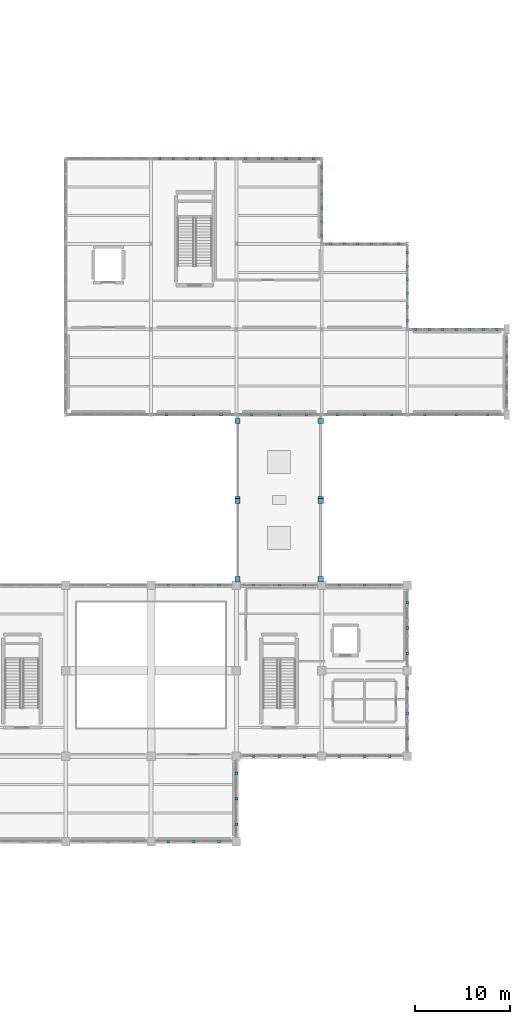
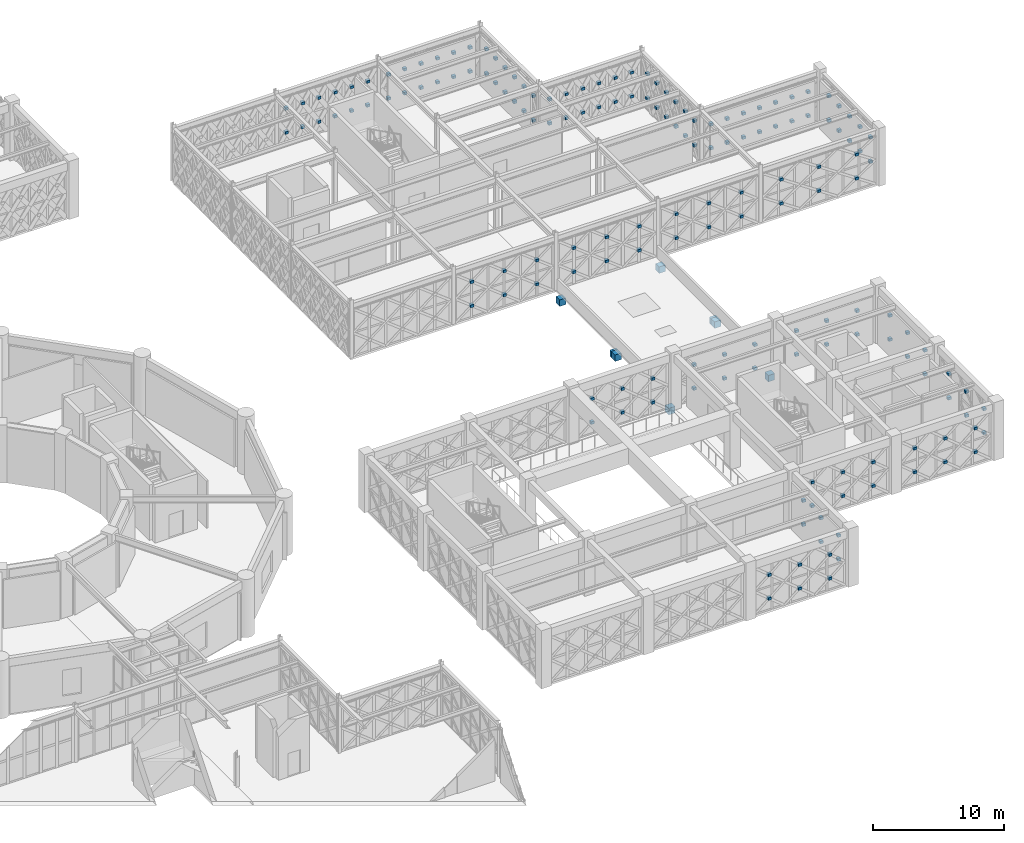
# One storey, part 144 of 155: 170 discrete accessories.
"""IFC4 building model written with IfcOpenShell, lengths in metres."""

from ifc_helpers import new_model, si_unit, direction, frame, origin, origin_2d, place, context, subcontext, project, spatial, rectangle, extrude, material, type_object, element, save


model = new_model("IFC4")

# Units and contexts
model_context = context("Model", 3, precision=1e-05, world=origin(), true_north=direction((0.0, 1.0)))
body_context = subcontext(model_context, "Body", "Model", "MODEL_VIEW")
ifc_project = project(units=[si_unit("LENGTHUNIT", "METRE"), si_unit("AREAUNIT", "SQUARE_METRE"), si_unit("VOLUMEUNIT", "CUBIC_METRE"), si_unit("PLANEANGLEUNIT", "RADIAN"), si_unit("MASSUNIT", "GRAM", prefix="KILO")], contexts=[model_context])

# Site, building, storey
site_placement = place(None, origin())
site = spatial("IfcSite", under=ifc_project, at=site_placement, CompositionType="ELEMENT")
building_placement = place(site_placement, origin())
building = spatial("IfcBuilding", under=site, at=building_placement, Name="Haizhuo Lancet Aquarium", CompositionType="ELEMENT")
storey_placement = place(building_placement, frame((0.0, 0.0, 10.800048828125)))
storey = spatial("IfcBuildingStorey", under=building, at=storey_placement, Name="L02", CompositionType="ELEMENT", Elevation=10.800048828125)

# Discrete accessories
ifc_material = material(Name="Steel S355", Category="steel")
discrete_accessory_type = type_object("IfcDiscreteAccessoryType", Name="ACC-END-CAP", PredefinedType="BRACKET", material=ifc_material)
for number, where, z_axis, x_axis, name in (
    (1, (54.1201171875, -8.320068359375, -0.9501953125), (0.0, 0.0, 1.0), (1.0, 0.0, 0.0), "L02 welded Steel S355 brace end-cap bracket EC-SB-3-1"),
    (2, (54.1201171875, -0.1201171875, -0.9501953125), (0.0, 0.0, 1.0), (1.0, 0.0, 0.0), "L02 welded Steel S355 brace end-cap bracket EC-SB-3-2"),
    (3, (54.1201171875, 0.1201171875, -0.9501953125), (0.0, 0.0, 1.0), (1.0, 0.0, 0.0), "L02 welded Steel S355 brace end-cap bracket EC-SB-3-3"),
    (4, (54.1201171875, 8.320068359375, -0.9501953125), (0.0, 0.0, 1.0), (1.0, 0.0, 0.0), "L02 welded Steel S355 brace end-cap bracket EC-SB-3-4"),
    (5, (62.8798828125, -8.320068359375, -0.9501953125), (0.0, 0.0, 1.0), (1.0, 0.0, 0.0), "L02 welded Steel S355 brace end-cap bracket EC-SB-4-1"),
    (6, (62.8798828125, -0.1201171875, -0.9501953125), (0.0, 0.0, 1.0), (1.0, 0.0, 0.0), "L02 welded Steel S355 brace end-cap bracket EC-SB-4-2"),
    (7, (62.8798828125, 0.1201171875, -0.9501953125), (0.0, 0.0, 1.0), (1.0, 0.0, 0.0), "L02 welded Steel S355 brace end-cap bracket EC-SB-4-3"),
    (8, (62.8798828125, 8.320068359375, -0.9501953125), (0.0, 0.0, 1.0), (1.0, 0.0, 0.0), "L02 welded Steel S355 brace end-cap bracket EC-SB-4-4"),
):
    element("IfcDiscreteAccessory", number, at=place(storey_placement, frame(where, z_axis=z_axis, x_axis=x_axis)), inside=storey, type_object=discrete_accessory_type, material=ifc_material, Name=name, PredefinedType="BRACKET", context=body_context, shape_type="SweptSolid", body=[
        extrude(rectangle(XDim=0.550048828125, YDim=0.550048828125, at=origin_2d()), origin(), (0.0, 0.0, 1.0), 0.60009765625),
    ])
for number, where, z_axis, x_axis, name in (
    (9, (46.830078125, -9.0, 0.98193359375), (0.0, 0.0, 1.0), (1.0, 0.0, 0.0), "L02 X-brace crossing gusset plate XN-CW-V3-L02-053-LB01B1"),
    (10, (46.830078125, -9.0, 3.18798828125), (0.0, 0.0, 1.0), (1.0, 0.0, 0.0), "L02 X-brace crossing gusset plate XN-CW-V3-L02-053-LB02B1"),
    (11, (49.5, -9.0, 0.98193359375), (0.0, 0.0, 1.0), (1.0, 0.0, 0.0), "L02 X-brace crossing gusset plate XN-CW-V3-L02-053-LB03B1"),
    (12, (49.5, -9.0, 3.18798828125), (0.0, 0.0, 1.0), (1.0, 0.0, 0.0), "L02 X-brace crossing gusset plate XN-CW-V3-L02-053-LB04B1"),
    (13, (52.169921875, -9.0, 0.98193359375), (0.0, 0.0, 1.0), (1.0, 0.0, 0.0), "L02 X-brace crossing gusset plate XN-CW-V3-L02-053-LB05B1"),
    (14, (52.169921875, -9.0, 3.18798828125), (0.0, 0.0, 1.0), (1.0, 0.0, 0.0), "L02 X-brace crossing gusset plate XN-CW-V3-L02-053-LB06B1"),
    (15, (55.830078125, -9.0, 0.98193359375), (0.0, 0.0, 1.0), (1.0, 0.0, 0.0), "L02 X-brace crossing gusset plate XN-CW-V3-L02-054-LB01B1"),
    (16, (55.830078125, -9.0, 3.18798828125), (0.0, 0.0, 1.0), (1.0, 0.0, 0.0), "L02 X-brace crossing gusset plate XN-CW-V3-L02-054-LB02B1"),
    (17, (58.5, -9.0, 0.98193359375), (0.0, 0.0, 1.0), (1.0, 0.0, 0.0), "L02 X-brace crossing gusset plate XN-CW-V3-L02-054-LB03B1"),
    (18, (58.5, -9.0, 3.18798828125), (0.0, 0.0, 1.0), (1.0, 0.0, 0.0), "L02 X-brace crossing gusset plate XN-CW-V3-L02-054-LB04B1"),
    (19, (61.169921875, -9.0, 0.98193359375), (0.0, 0.0, 1.0), (1.0, 0.0, 0.0), "L02 X-brace crossing gusset plate XN-CW-V3-L02-054-LB05B1"),
    (20, (61.169921875, -9.0, 3.18798828125), (0.0, 0.0, 1.0), (1.0, 0.0, 0.0), "L02 X-brace crossing gusset plate XN-CW-V3-L02-054-LB06B1"),
    (21, (64.830078125, -9.0, 0.98193359375), (0.0, 0.0, 1.0), (1.0, 0.0, 0.0), "L02 X-brace crossing gusset plate XN-CW-V3-L02-055-LB01B1"),
    (22, (64.830078125, -9.0, 3.18798828125), (0.0, 0.0, 1.0), (1.0, 0.0, 0.0), "L02 X-brace crossing gusset plate XN-CW-V3-L02-055-LB02B1"),
    (23, (67.5, -9.0, 0.98193359375), (0.0, 0.0, 1.0), (1.0, 0.0, 0.0), "L02 X-brace crossing gusset plate XN-CW-V3-L02-055-LB03B1"),
    (24, (67.5, -9.0, 3.18798828125), (0.0, 0.0, 1.0), (1.0, 0.0, 0.0), "L02 X-brace crossing gusset plate XN-CW-V3-L02-055-LB04B1"),
    (25, (70.169921875, -9.0, 0.98193359375), (0.0, 0.0, 1.0), (1.0, 0.0, 0.0), "L02 X-brace crossing gusset plate XN-CW-V3-L02-055-LB05B1"),
    (26, (70.169921875, -9.0, 3.18798828125), (0.0, 0.0, 1.0), (1.0, 0.0, 0.0), "L02 X-brace crossing gusset plate XN-CW-V3-L02-055-LB06B1"),
    (27, (72.0, -10.830078125, 0.9951171875), (0.0, 0.0, 1.0), (1.0, 0.0, 0.0), "L02 X-brace crossing gusset plate XN-CW-V3-L02-056-LB01B1"),
    (28, (72.0, -10.830078125, 3.22509765625), (0.0, 0.0, 1.0), (1.0, 0.0, 0.0), "L02 X-brace crossing gusset plate XN-CW-V3-L02-056-LB02B1"),
    (29, (72.0, -13.5, 0.9951171875), (0.0, 0.0, 1.0), (1.0, 0.0, 0.0), "L02 X-brace crossing gusset plate XN-CW-V3-L02-056-LB03B1"),
    (30, (72.0, -13.5, 3.22509765625), (0.0, 0.0, 1.0), (1.0, 0.0, 0.0), "L02 X-brace crossing gusset plate XN-CW-V3-L02-056-LB04B1"),
    (31, (72.0, -16.169921875, 0.9951171875), (0.0, 0.0, 1.0), (1.0, 0.0, 0.0), "L02 X-brace crossing gusset plate XN-CW-V3-L02-056-LB05B1"),
    (32, (72.0, -16.169921875, 3.22509765625), (0.0, 0.0, 1.0), (1.0, 0.0, 0.0), "L02 X-brace crossing gusset plate XN-CW-V3-L02-056-LB06B1"),
    (33, (72.0, -19.830078125, 0.9951171875), (0.0, 0.0, 1.0), (1.0, 0.0, 0.0), "L02 X-brace crossing gusset plate XN-CW-V3-L02-057-LB01B1"),
    (34, (72.0, -19.830078125, 3.22509765625), (0.0, 0.0, 1.0), (1.0, 0.0, 0.0), "L02 X-brace crossing gusset plate XN-CW-V3-L02-057-LB02B1"),
    (35, (72.0, -22.5, 0.9951171875), (0.0, 0.0, 1.0), (1.0, 0.0, 0.0), "L02 X-brace crossing gusset plate XN-CW-V3-L02-057-LB03B1"),
    (36, (72.0, -22.5, 3.22509765625), (0.0, 0.0, 1.0), (1.0, 0.0, 0.0), "L02 X-brace crossing gusset plate XN-CW-V3-L02-057-LB04B1"),
    (37, (72.0, -25.169921875, 0.9951171875), (0.0, 0.0, 1.0), (1.0, 0.0, 0.0), "L02 X-brace crossing gusset plate XN-CW-V3-L02-057-LB05B1"),
    (38, (72.0, -25.169921875, 3.22509765625), (0.0, 0.0, 1.0), (1.0, 0.0, 0.0), "L02 X-brace crossing gusset plate XN-CW-V3-L02-057-LB06B1"),
    (39, (70.169921875, -27.0, 0.98193359375), (0.0, 0.0, 1.0), (1.0, 0.0, 0.0), "L02 X-brace crossing gusset plate XN-CW-V3-L02-058-LB01B1"),
    (40, (70.169921875, -27.0, 3.18798828125), (0.0, 0.0, 1.0), (1.0, 0.0, 0.0), "L02 X-brace crossing gusset plate XN-CW-V3-L02-058-LB02B1"),
    (41, (67.5, -27.0, 0.98193359375), (0.0, 0.0, 1.0), (1.0, 0.0, 0.0), "L02 X-brace crossing gusset plate XN-CW-V3-L02-058-LB03B1"),
    (42, (67.5, -27.0, 3.18798828125), (0.0, 0.0, 1.0), (1.0, 0.0, 0.0), "L02 X-brace crossing gusset plate XN-CW-V3-L02-058-LB04B1"),
    (43, (64.830078125, -27.0, 0.98193359375), (0.0, 0.0, 1.0), (1.0, 0.0, 0.0), "L02 X-brace crossing gusset plate XN-CW-V3-L02-058-LB05B1"),
    (44, (64.830078125, -27.0, 3.18798828125), (0.0, 0.0, 1.0), (1.0, 0.0, 0.0), "L02 X-brace crossing gusset plate XN-CW-V3-L02-058-LB06B1"),
    (45, (61.169921875, -27.0, 0.98193359375), (0.0, 0.0, 1.0), (1.0, 0.0, 0.0), "L02 X-brace crossing gusset plate XN-CW-V3-L02-059-LB01B1"),
    (46, (61.169921875, -27.0, 3.18798828125), (0.0, 0.0, 1.0), (1.0, 0.0, 0.0), "L02 X-brace crossing gusset plate XN-CW-V3-L02-059-LB02B1"),
    (47, (58.5, -27.0, 0.98193359375), (0.0, 0.0, 1.0), (1.0, 0.0, 0.0), "L02 X-brace crossing gusset plate XN-CW-V3-L02-059-LB03B1"),
    (48, (58.5, -27.0, 3.18798828125), (0.0, 0.0, 1.0), (1.0, 0.0, 0.0), "L02 X-brace crossing gusset plate XN-CW-V3-L02-059-LB04B1"),
    (49, (55.830078125, -27.0, 0.98193359375), (0.0, 0.0, 1.0), (1.0, 0.0, 0.0), "L02 X-brace crossing gusset plate XN-CW-V3-L02-059-LB05B1"),
    (50, (55.830078125, -27.0, 3.18798828125), (0.0, 0.0, 1.0), (1.0, 0.0, 0.0), "L02 X-brace crossing gusset plate XN-CW-V3-L02-059-LB06B1"),
    (51, (54.0, -28.830078125, 0.9951171875), (0.0, 0.0, 1.0), (1.0, 0.0, 0.0), "L02 X-brace crossing gusset plate XN-CW-V3-L02-060-LB01B1"),
    (52, (54.0, -28.830078125, 3.22509765625), (0.0, 0.0, 1.0), (1.0, 0.0, 0.0), "L02 X-brace crossing gusset plate XN-CW-V3-L02-060-LB02B1"),
    (53, (54.0, -31.5, 0.9951171875), (0.0, 0.0, 1.0), (1.0, 0.0, 0.0), "L02 X-brace crossing gusset plate XN-CW-V3-L02-060-LB03B1"),
    (54, (54.0, -31.5, 3.22509765625), (0.0, 0.0, 1.0), (1.0, 0.0, 0.0), "L02 X-brace crossing gusset plate XN-CW-V3-L02-060-LB04B1"),
    (55, (54.0, -34.169921875, 0.9951171875), (0.0, 0.0, 1.0), (1.0, 0.0, 0.0), "L02 X-brace crossing gusset plate XN-CW-V3-L02-060-LB05B1"),
    (56, (54.0, -34.169921875, 3.22509765625), (0.0, 0.0, 1.0), (1.0, 0.0, 0.0), "L02 X-brace crossing gusset plate XN-CW-V3-L02-060-LB06B1"),
    (57, (52.169921875, -36.0, 0.98193359375), (0.0, 0.0, 1.0), (1.0, 0.0, 0.0), "L02 X-brace crossing gusset plate XN-CW-V3-L02-061-LB01B1"),
    (58, (52.169921875, -36.0, 3.18798828125), (0.0, 0.0, 1.0), (1.0, 0.0, 0.0), "L02 X-brace crossing gusset plate XN-CW-V3-L02-061-LB02B1"),
    (59, (49.5, -36.0, 0.98193359375), (0.0, 0.0, 1.0), (1.0, 0.0, 0.0), "L02 X-brace crossing gusset plate XN-CW-V3-L02-061-LB03B1"),
    (60, (49.5, -36.0, 3.18798828125), (0.0, 0.0, 1.0), (1.0, 0.0, 0.0), "L02 X-brace crossing gusset plate XN-CW-V3-L02-061-LB04B1"),
    (61, (46.830078125, -36.0, 0.98193359375), (0.0, 0.0, 1.0), (1.0, 0.0, 0.0), "L02 X-brace crossing gusset plate XN-CW-V3-L02-061-LB05B1"),
    (62, (46.830078125, -36.0, 3.18798828125), (0.0, 0.0, 1.0), (1.0, 0.0, 0.0), "L02 X-brace crossing gusset plate XN-CW-V3-L02-061-LB06B1"),
    (63, (45.9130859375, 36.0, 0.99609375), (0.0, 0.0, 1.0), (1.0, 0.0, 0.0), "L02 X-brace crossing gusset plate XN-CW-V7-L02-297-LB01B1"),
    (64, (45.9130859375, 36.0, 3.22607421875), (0.0, 0.0, 1.0), (1.0, 0.0, 0.0), "L02 X-brace crossing gusset plate XN-CW-V7-L02-297-LB02B1"),
    (65, (47.346923828125, 36.0, 0.99609375), (0.0, 0.0, 1.0), (1.0, 0.0, 0.0), "L02 X-brace crossing gusset plate XN-CW-V7-L02-297-LB03B1"),
    (66, (47.346923828125, 36.0, 3.22607421875), (0.0, 0.0, 1.0), (1.0, 0.0, 0.0), "L02 X-brace crossing gusset plate XN-CW-V7-L02-297-LB04B1"),
    (67, (48.781982421875, 36.0, 0.99609375), (0.0, 0.0, 1.0), (1.0, 0.0, 0.0), "L02 X-brace crossing gusset plate XN-CW-V7-L02-297-LB05B1"),
    (68, (48.781982421875, 36.0, 3.22607421875), (0.0, 0.0, 1.0), (1.0, 0.0, 0.0), "L02 X-brace crossing gusset plate XN-CW-V7-L02-297-LB06B1"),
    (69, (50.218017578125, 36.0, 0.99609375), (0.0, 0.0, 1.0), (1.0, 0.0, 0.0), "L02 X-brace crossing gusset plate XN-CW-V7-L02-297-LB07B1"),
    (70, (50.218017578125, 36.0, 3.22607421875), (0.0, 0.0, 1.0), (1.0, 0.0, 0.0), "L02 X-brace crossing gusset plate XN-CW-V7-L02-297-LB08B1"),
    (71, (51.653076171875, 36.0, 0.99609375), (0.0, 0.0, 1.0), (1.0, 0.0, 0.0), "L02 X-brace crossing gusset plate XN-CW-V7-L02-297-LB09B1"),
    (72, (51.653076171875, 36.0, 3.22607421875), (0.0, 0.0, 1.0), (1.0, 0.0, 0.0), "L02 X-brace crossing gusset plate XN-CW-V7-L02-297-LB10B1"),
    (73, (53.0869140625, 36.0, 0.99609375), (0.0, 0.0, 1.0), (1.0, 0.0, 0.0), "L02 X-brace crossing gusset plate XN-CW-V7-L02-297-LB11B1"),
    (74, (53.0869140625, 36.0, 3.22607421875), (0.0, 0.0, 1.0), (1.0, 0.0, 0.0), "L02 X-brace crossing gusset plate XN-CW-V7-L02-297-LB12B1"),
    (75, (54.9130859375, 36.0, 0.99609375), (0.0, 0.0, 1.0), (1.0, 0.0, 0.0), "L02 X-brace crossing gusset plate XN-CW-V7-L02-298-LB01B1"),
    (76, (54.9130859375, 36.0, 3.22607421875), (0.0, 0.0, 1.0), (1.0, 0.0, 0.0), "L02 X-brace crossing gusset plate XN-CW-V7-L02-298-LB02B1"),
    (77, (56.346923828125, 36.0, 0.99609375), (0.0, 0.0, 1.0), (1.0, 0.0, 0.0), "L02 X-brace crossing gusset plate XN-CW-V7-L02-298-LB03B1"),
    (78, (56.346923828125, 36.0, 3.22607421875), (0.0, 0.0, 1.0), (1.0, 0.0, 0.0), "L02 X-brace crossing gusset plate XN-CW-V7-L02-298-LB04B1"),
    (79, (57.781982421875, 36.0, 0.99609375), (0.0, 0.0, 1.0), (1.0, 0.0, 0.0), "L02 X-brace crossing gusset plate XN-CW-V7-L02-298-LB05B1"),
    (80, (57.781982421875, 36.0, 3.22607421875), (0.0, 0.0, 1.0), (1.0, 0.0, 0.0), "L02 X-brace crossing gusset plate XN-CW-V7-L02-298-LB06B1"),
    (81, (59.218017578125, 36.0, 0.99609375), (0.0, 0.0, 1.0), (1.0, 0.0, 0.0), "L02 X-brace crossing gusset plate XN-CW-V7-L02-298-LB07B1"),
    (82, (59.218017578125, 36.0, 3.22607421875), (0.0, 0.0, 1.0), (1.0, 0.0, 0.0), "L02 X-brace crossing gusset plate XN-CW-V7-L02-298-LB08B1"),
    (83, (60.653076171875, 36.0, 0.99609375), (0.0, 0.0, 1.0), (1.0, 0.0, 0.0), "L02 X-brace crossing gusset plate XN-CW-V7-L02-298-LB09B1"),
    (84, (60.653076171875, 36.0, 3.22607421875), (0.0, 0.0, 1.0), (1.0, 0.0, 0.0), "L02 X-brace crossing gusset plate XN-CW-V7-L02-298-LB10B1"),
    (85, (62.0869140625, 36.0, 0.99609375), (0.0, 0.0, 1.0), (1.0, 0.0, 0.0), "L02 X-brace crossing gusset plate XN-CW-V7-L02-298-LB11B1"),
    (86, (62.0869140625, 36.0, 3.22607421875), (0.0, 0.0, 1.0), (1.0, 0.0, 0.0), "L02 X-brace crossing gusset plate XN-CW-V7-L02-298-LB12B1"),
    (87, (63.0, 35.0869140625, 1.02099609375), (0.0, 0.0, 1.0), (1.0, 0.0, 0.0), "L02 X-brace crossing gusset plate XN-CW-V7-L02-299-LB01B1"),
    (88, (63.0, 35.0869140625, 3.30078125), (0.0, 0.0, 1.0), (1.0, 0.0, 0.0), "L02 X-brace crossing gusset plate XN-CW-V7-L02-299-LB02B1"),
    (89, (63.0, 33.653076171875, 1.02099609375), (0.0, 0.0, 1.0), (1.0, 0.0, 0.0), "L02 X-brace crossing gusset plate XN-CW-V7-L02-299-LB03B1"),
    (90, (63.0, 33.653076171875, 3.30078125), (0.0, 0.0, 1.0), (1.0, 0.0, 0.0), "L02 X-brace crossing gusset plate XN-CW-V7-L02-299-LB04B1"),
    (91, (63.0, 32.218017578125, 1.02099609375), (0.0, 0.0, 1.0), (1.0, 0.0, 0.0), "L02 X-brace crossing gusset plate XN-CW-V7-L02-299-LB05B1"),
    (92, (63.0, 32.218017578125, 3.30078125), (0.0, 0.0, 1.0), (1.0, 0.0, 0.0), "L02 X-brace crossing gusset plate XN-CW-V7-L02-299-LB06B1"),
    (93, (63.0, 30.781982421875, 1.02099609375), (0.0, 0.0, 1.0), (1.0, 0.0, 0.0), "L02 X-brace crossing gusset plate XN-CW-V7-L02-299-LB07B1"),
    (94, (63.0, 30.781982421875, 3.30078125), (0.0, 0.0, 1.0), (1.0, 0.0, 0.0), "L02 X-brace crossing gusset plate XN-CW-V7-L02-299-LB08B1"),
    (95, (63.0, 29.347900390625, 1.02099609375), (0.0, 0.0, 1.0), (1.0, 0.0, 0.0), "L02 X-brace crossing gusset plate XN-CW-V7-L02-299-LB09B1"),
    (96, (63.0, 29.347900390625, 3.30078125), (0.0, 0.0, 1.0), (1.0, 0.0, 0.0), "L02 X-brace crossing gusset plate XN-CW-V7-L02-299-LB10B1"),
    (97, (63.0, 27.9130859375, 1.02099609375), (0.0, 0.0, 1.0), (1.0, 0.0, 0.0), "L02 X-brace crossing gusset plate XN-CW-V7-L02-299-LB11B1"),
    (98, (63.0, 27.9130859375, 3.30078125), (0.0, 0.0, 1.0), (1.0, 0.0, 0.0), "L02 X-brace crossing gusset plate XN-CW-V7-L02-299-LB12B1"),
    (99, (63.912109375, 27.0, 0.99609375), (0.0, 0.0, 1.0), (1.0, 0.0, 0.0), "L02 X-brace crossing gusset plate XN-CW-V7-L02-300-LB01B1"),
    (100, (63.912109375, 27.0, 3.22607421875), (0.0, 0.0, 1.0), (1.0, 0.0, 0.0), "L02 X-brace crossing gusset plate XN-CW-V7-L02-300-LB02B1"),
    (101, (65.346923828125, 27.0, 0.99609375), (0.0, 0.0, 1.0), (1.0, 0.0, 0.0), "L02 X-brace crossing gusset plate XN-CW-V7-L02-300-LB03B1"),
    (102, (65.346923828125, 27.0, 3.22607421875), (0.0, 0.0, 1.0), (1.0, 0.0, 0.0), "L02 X-brace crossing gusset plate XN-CW-V7-L02-300-LB04B1"),
    (103, (66.781982421875, 27.0, 0.99609375), (0.0, 0.0, 1.0), (1.0, 0.0, 0.0), "L02 X-brace crossing gusset plate XN-CW-V7-L02-300-LB05B1"),
    (104, (66.781982421875, 27.0, 3.22607421875), (0.0, 0.0, 1.0), (1.0, 0.0, 0.0), "L02 X-brace crossing gusset plate XN-CW-V7-L02-300-LB06B1"),
    (105, (68.218017578125, 27.0, 0.99609375), (0.0, 0.0, 1.0), (1.0, 0.0, 0.0), "L02 X-brace crossing gusset plate XN-CW-V7-L02-300-LB07B1"),
    (106, (68.218017578125, 27.0, 3.22607421875), (0.0, 0.0, 1.0), (1.0, 0.0, 0.0), "L02 X-brace crossing gusset plate XN-CW-V7-L02-300-LB08B1"),
    (107, (69.653076171875, 27.0, 0.99609375), (0.0, 0.0, 1.0), (1.0, 0.0, 0.0), "L02 X-brace crossing gusset plate XN-CW-V7-L02-300-LB09B1"),
    (108, (69.653076171875, 27.0, 3.22607421875), (0.0, 0.0, 1.0), (1.0, 0.0, 0.0), "L02 X-brace crossing gusset plate XN-CW-V7-L02-300-LB10B1"),
    (109, (71.087890625, 27.0, 0.99609375), (0.0, 0.0, 1.0), (1.0, 0.0, 0.0), "L02 X-brace crossing gusset plate XN-CW-V7-L02-300-LB11B1"),
    (110, (71.087890625, 27.0, 3.22607421875), (0.0, 0.0, 1.0), (1.0, 0.0, 0.0), "L02 X-brace crossing gusset plate XN-CW-V7-L02-300-LB12B1"),
    (111, (72.0, 26.0869140625, 1.02099609375), (0.0, 0.0, 1.0), (1.0, 0.0, 0.0), "L02 X-brace crossing gusset plate XN-CW-V7-L02-301-LB01B1"),
    (112, (72.0, 26.0869140625, 3.30078125), (0.0, 0.0, 1.0), (1.0, 0.0, 0.0), "L02 X-brace crossing gusset plate XN-CW-V7-L02-301-LB02B1"),
    (113, (72.0, 24.652099609375, 1.02099609375), (0.0, 0.0, 1.0), (1.0, 0.0, 0.0), "L02 X-brace crossing gusset plate XN-CW-V7-L02-301-LB03B1"),
    (114, (72.0, 24.652099609375, 3.30078125), (0.0, 0.0, 1.0), (1.0, 0.0, 0.0), "L02 X-brace crossing gusset plate XN-CW-V7-L02-301-LB04B1"),
    (115, (72.0, 23.218017578125, 1.02099609375), (0.0, 0.0, 1.0), (1.0, 0.0, 0.0), "L02 X-brace crossing gusset plate XN-CW-V7-L02-301-LB05B1"),
    (116, (72.0, 23.218017578125, 3.30078125), (0.0, 0.0, 1.0), (1.0, 0.0, 0.0), "L02 X-brace crossing gusset plate XN-CW-V7-L02-301-LB06B1"),
    (117, (72.0, 21.781982421875, 1.02099609375), (0.0, 0.0, 1.0), (1.0, 0.0, 0.0), "L02 X-brace crossing gusset plate XN-CW-V7-L02-301-LB07B1"),
    (118, (72.0, 21.781982421875, 3.30078125), (0.0, 0.0, 1.0), (1.0, 0.0, 0.0), "L02 X-brace crossing gusset plate XN-CW-V7-L02-301-LB08B1"),
    (119, (72.0, 20.347900390625, 1.02099609375), (0.0, 0.0, 1.0), (1.0, 0.0, 0.0), "L02 X-brace crossing gusset plate XN-CW-V7-L02-301-LB09B1"),
    (120, (72.0, 20.347900390625, 3.30078125), (0.0, 0.0, 1.0), (1.0, 0.0, 0.0), "L02 X-brace crossing gusset plate XN-CW-V7-L02-301-LB10B1"),
    (121, (72.0, 18.9130859375, 1.02099609375), (0.0, 0.0, 1.0), (1.0, 0.0, 0.0), "L02 X-brace crossing gusset plate XN-CW-V7-L02-301-LB11B1"),
    (122, (72.0, 18.9130859375, 3.30078125), (0.0, 0.0, 1.0), (1.0, 0.0, 0.0), "L02 X-brace crossing gusset plate XN-CW-V7-L02-301-LB12B1"),
    (123, (72.906005859375, 18.0, 0.99609375), (0.0, 0.0, 1.0), (1.0, 0.0, 0.0), "L02 X-brace crossing gusset plate XN-CW-V7-L02-302-LB01B1"),
    (124, (72.906005859375, 18.0, 3.22607421875), (0.0, 0.0, 1.0), (1.0, 0.0, 0.0), "L02 X-brace crossing gusset plate XN-CW-V7-L02-302-LB02B1"),
    (125, (74.3291015625, 18.0, 0.99609375), (0.0, 0.0, 1.0), (1.0, 0.0, 0.0), "L02 X-brace crossing gusset plate XN-CW-V7-L02-302-LB03B1"),
    (126, (74.3291015625, 18.0, 3.22607421875), (0.0, 0.0, 1.0), (1.0, 0.0, 0.0), "L02 X-brace crossing gusset plate XN-CW-V7-L02-302-LB04B1"),
    (127, (75.751953125, 18.0, 0.99609375), (0.0, 0.0, 1.0), (1.0, 0.0, 0.0), "L02 X-brace crossing gusset plate XN-CW-V7-L02-302-LB05B1"),
    (128, (75.751953125, 18.0, 3.22607421875), (0.0, 0.0, 1.0), (1.0, 0.0, 0.0), "L02 X-brace crossing gusset plate XN-CW-V7-L02-302-LB06B1"),
    (129, (77.175048828125, 18.0, 0.99609375), (0.0, 0.0, 1.0), (1.0, 0.0, 0.0), "L02 X-brace crossing gusset plate XN-CW-V7-L02-302-LB07B1"),
    (130, (77.175048828125, 18.0, 3.22607421875), (0.0, 0.0, 1.0), (1.0, 0.0, 0.0), "L02 X-brace crossing gusset plate XN-CW-V7-L02-302-LB08B1"),
    (131, (78.596923828125, 18.0, 0.99609375), (0.0, 0.0, 1.0), (1.0, 0.0, 0.0), "L02 X-brace crossing gusset plate XN-CW-V7-L02-302-LB09B1"),
    (132, (78.596923828125, 18.0, 3.22607421875), (0.0, 0.0, 1.0), (1.0, 0.0, 0.0), "L02 X-brace crossing gusset plate XN-CW-V7-L02-302-LB10B1"),
    (133, (80.02001953125, 18.0, 0.99609375), (0.0, 0.0, 1.0), (1.0, 0.0, 0.0), "L02 X-brace crossing gusset plate XN-CW-V7-L02-302-LB11B1"),
    (134, (80.02001953125, 18.0, 3.22607421875), (0.0, 0.0, 1.0), (1.0, 0.0, 0.0), "L02 X-brace crossing gusset plate XN-CW-V7-L02-302-LB12B1"),
    (135, (81.444091796875, 18.0, 0.99609375), (0.0, 0.0, 1.0), (1.0, 0.0, 0.0), "L02 X-brace crossing gusset plate XN-CW-V7-L02-302-LB13B1"),
    (136, (81.444091796875, 18.0, 3.22607421875), (0.0, 0.0, 1.0), (1.0, 0.0, 0.0), "L02 X-brace crossing gusset plate XN-CW-V7-L02-302-LB14B1"),
    (137, (82.5, 16.6640625, 1.02099609375), (0.0, 0.0, 1.0), (1.0, 0.0, 0.0), "L02 X-brace crossing gusset plate XN-CW-V7-L02-303-LB01B1"),
    (138, (82.5, 16.6640625, 3.30078125), (0.0, 0.0, 1.0), (1.0, 0.0, 0.0), "L02 X-brace crossing gusset plate XN-CW-V7-L02-303-LB02B1"),
    (139, (82.5, 15.08203125, 1.02099609375), (0.0, 0.0, 1.0), (1.0, 0.0, 0.0), "L02 X-brace crossing gusset plate XN-CW-V7-L02-303-LB03B1"),
    (140, (82.5, 15.08203125, 3.30078125), (0.0, 0.0, 1.0), (1.0, 0.0, 0.0), "L02 X-brace crossing gusset plate XN-CW-V7-L02-303-LB04B1"),
    (141, (82.5, 13.5, 1.02099609375), (0.0, 0.0, 1.0), (1.0, 0.0, 0.0), "L02 X-brace crossing gusset plate XN-CW-V7-L02-303-LB05B1"),
    (142, (82.5, 13.5, 3.30078125), (0.0, 0.0, 1.0), (1.0, 0.0, 0.0), "L02 X-brace crossing gusset plate XN-CW-V7-L02-303-LB06B1"),
    (143, (82.5, 11.91796875, 1.02099609375), (0.0, 0.0, 1.0), (1.0, 0.0, 0.0), "L02 X-brace crossing gusset plate XN-CW-V7-L02-303-LB07B1"),
    (144, (82.5, 11.91796875, 3.30078125), (0.0, 0.0, 1.0), (1.0, 0.0, 0.0), "L02 X-brace crossing gusset plate XN-CW-V7-L02-303-LB08B1"),
    (145, (82.5, 10.3359375, 1.02099609375), (0.0, 0.0, 1.0), (1.0, 0.0, 0.0), "L02 X-brace crossing gusset plate XN-CW-V7-L02-303-LB09B1"),
    (146, (82.5, 10.3359375, 3.30078125), (0.0, 0.0, 1.0), (1.0, 0.0, 0.0), "L02 X-brace crossing gusset plate XN-CW-V7-L02-303-LB10B1"),
    (147, (80.4951171875, 9.0, 0.99609375), (0.0, 0.0, 1.0), (1.0, 0.0, 0.0), "L02 X-brace crossing gusset plate XN-CW-V7-L02-304-LB01B1"),
    (148, (80.4951171875, 9.0, 3.22607421875), (0.0, 0.0, 1.0), (1.0, 0.0, 0.0), "L02 X-brace crossing gusset plate XN-CW-V7-L02-304-LB02B1"),
    (149, (77.175048828125, 9.0, 0.99609375), (0.0, 0.0, 1.0), (1.0, 0.0, 0.0), "L02 X-brace crossing gusset plate XN-CW-V7-L02-304-LB03B1"),
    (150, (77.175048828125, 9.0, 3.22607421875), (0.0, 0.0, 1.0), (1.0, 0.0, 0.0), "L02 X-brace crossing gusset plate XN-CW-V7-L02-304-LB04B1"),
    (151, (73.85498046875, 9.0, 0.99609375), (0.0, 0.0, 1.0), (1.0, 0.0, 0.0), "L02 X-brace crossing gusset plate XN-CW-V7-L02-304-LB05B1"),
    (152, (73.85498046875, 9.0, 3.22607421875), (0.0, 0.0, 1.0), (1.0, 0.0, 0.0), "L02 X-brace crossing gusset plate XN-CW-V7-L02-304-LB06B1"),
    (153, (70.3701171875, 9.0, 0.99609375), (0.0, 0.0, 1.0), (1.0, 0.0, 0.0), "L02 X-brace crossing gusset plate XN-CW-V7-L02-305-LB01B1"),
    (154, (70.3701171875, 9.0, 3.22607421875), (0.0, 0.0, 1.0), (1.0, 0.0, 0.0), "L02 X-brace crossing gusset plate XN-CW-V7-L02-305-LB02B1"),
    (155, (67.5, 9.0, 0.99609375), (0.0, 0.0, 1.0), (1.0, 0.0, 0.0), "L02 X-brace crossing gusset plate XN-CW-V7-L02-305-LB03B1"),
    (156, (67.5, 9.0, 3.22607421875), (0.0, 0.0, 1.0), (1.0, 0.0, 0.0), "L02 X-brace crossing gusset plate XN-CW-V7-L02-305-LB04B1"),
    (157, (64.6298828125, 9.0, 0.99609375), (0.0, 0.0, 1.0), (1.0, 0.0, 0.0), "L02 X-brace crossing gusset plate XN-CW-V7-L02-305-LB05B1"),
    (158, (64.6298828125, 9.0, 3.22607421875), (0.0, 0.0, 1.0), (1.0, 0.0, 0.0), "L02 X-brace crossing gusset plate XN-CW-V7-L02-305-LB06B1"),
    (159, (61.3701171875, 9.0, 0.99609375), (0.0, 0.0, 1.0), (1.0, 0.0, 0.0), "L02 X-brace crossing gusset plate XN-CW-V7-L02-306-LB01B1"),
    (160, (61.3701171875, 9.0, 3.22607421875), (0.0, 0.0, 1.0), (1.0, 0.0, 0.0), "L02 X-brace crossing gusset plate XN-CW-V7-L02-306-LB02B1"),
    (161, (58.5, 9.0, 0.99609375), (0.0, 0.0, 1.0), (1.0, 0.0, 0.0), "L02 X-brace crossing gusset plate XN-CW-V7-L02-306-LB03B1"),
    (162, (58.5, 9.0, 3.22607421875), (0.0, 0.0, 1.0), (1.0, 0.0, 0.0), "L02 X-brace crossing gusset plate XN-CW-V7-L02-306-LB04B1"),
    (163, (55.6298828125, 9.0, 0.99609375), (0.0, 0.0, 1.0), (1.0, 0.0, 0.0), "L02 X-brace crossing gusset plate XN-CW-V7-L02-306-LB05B1"),
    (164, (55.6298828125, 9.0, 3.22607421875), (0.0, 0.0, 1.0), (1.0, 0.0, 0.0), "L02 X-brace crossing gusset plate XN-CW-V7-L02-306-LB06B1"),
    (165, (52.3701171875, 9.0, 0.99609375), (0.0, 0.0, 1.0), (1.0, 0.0, 0.0), "L02 X-brace crossing gusset plate XN-CW-V7-L02-307-LB01B1"),
    (166, (52.3701171875, 9.0, 3.22607421875), (0.0, 0.0, 1.0), (1.0, 0.0, 0.0), "L02 X-brace crossing gusset plate XN-CW-V7-L02-307-LB02B1"),
    (167, (49.5, 9.0, 0.99609375), (0.0, 0.0, 1.0), (1.0, 0.0, 0.0), "L02 X-brace crossing gusset plate XN-CW-V7-L02-307-LB03B1"),
    (168, (49.5, 9.0, 3.22607421875), (0.0, 0.0, 1.0), (1.0, 0.0, 0.0), "L02 X-brace crossing gusset plate XN-CW-V7-L02-307-LB04B1"),
    (169, (46.6298828125, 9.0, 0.99609375), (0.0, 0.0, 1.0), (1.0, 0.0, 0.0), "L02 X-brace crossing gusset plate XN-CW-V7-L02-307-LB05B1"),
    (170, (46.6298828125, 9.0, 3.22607421875), (0.0, 0.0, 1.0), (1.0, 0.0, 0.0), "L02 X-brace crossing gusset plate XN-CW-V7-L02-307-LB06B1"),
):
    element("IfcDiscreteAccessory", number, at=place(storey_placement, frame(where, z_axis=z_axis, x_axis=x_axis)), inside=storey, type_object=discrete_accessory_type, material=ifc_material, Name=name, PredefinedType="BRACKET", context=body_context, shape_type="SweptSolid", body=[
        extrude(rectangle(XDim=0.280029296875, YDim=0.280029296875, at=origin_2d()), origin(), (0.0, 0.0, 1.0), 0.239990234375),
    ])

save(model, "model.ifc")
